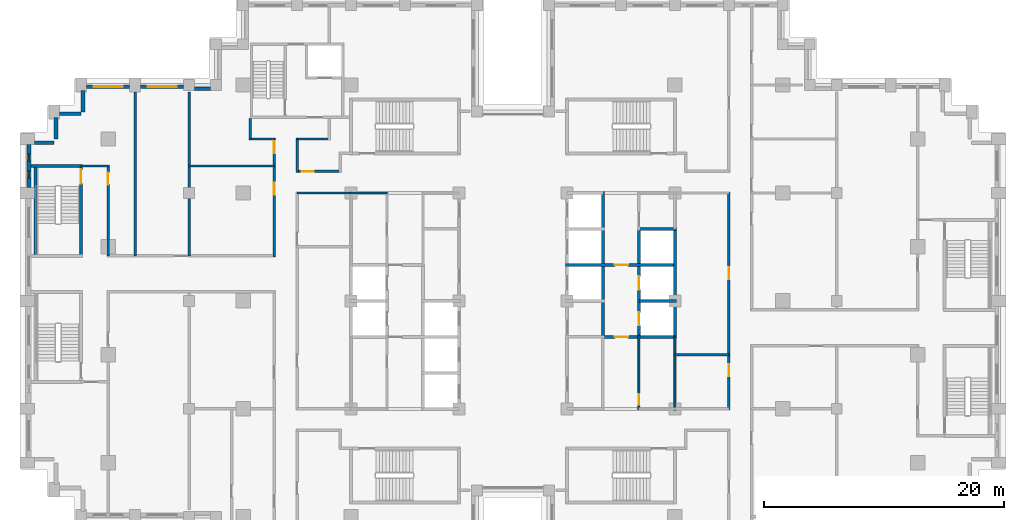
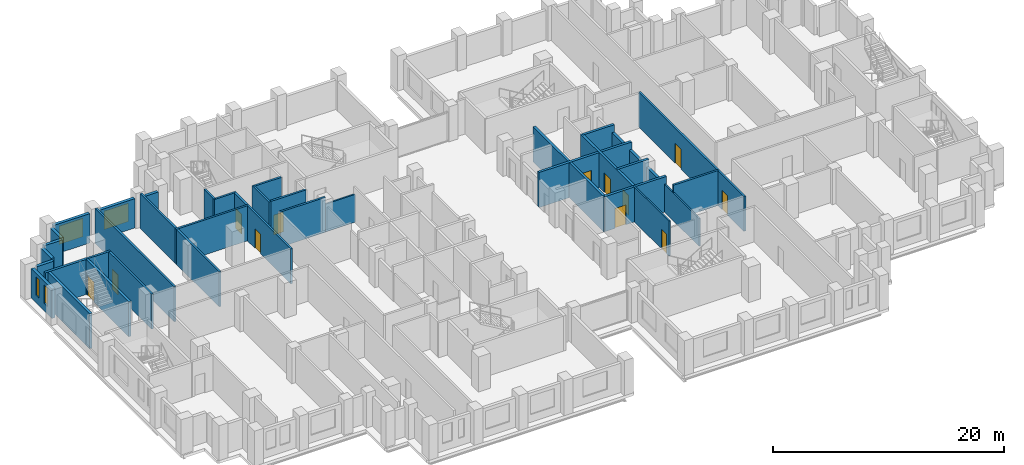
# One storey, part 9 of 15: 35 walls, 12 doors, 4 windows, 16 openings.
"""IFC4 building model written with IfcOpenShell, lengths in metres."""

from ifc_helpers import new_model, si_unit, direction, frame, frame_2d, origin, place, context, subcontext, project, spatial, rectangle, extrude, material, layer, layer_set, type_object, element, fill, save


model = new_model("IFC4")

# Units and contexts
model_context = context("Model", 3, precision=1e-05, world=origin(), true_north=direction((0.0, 1.0)))
body_context = subcontext(model_context, "Body", "Model", "MODEL_VIEW")
ifc_project = project(units=[si_unit("LENGTHUNIT", "METRE"), si_unit("AREAUNIT", "SQUARE_METRE"), si_unit("VOLUMEUNIT", "CUBIC_METRE"), si_unit("PLANEANGLEUNIT", "RADIAN"), si_unit("MASSUNIT", "GRAM", prefix="KILO")], contexts=[model_context])

# Site, building, storey
site_placement = place(None, origin())
site = spatial("IfcSite", under=ifc_project, at=site_placement, CompositionType="ELEMENT")
building_placement = place(site_placement, origin())
building = spatial("IfcBuilding", under=site, at=building_placement, Name="Corbelhall Arena Tower", CompositionType="ELEMENT")
storey_placement = place(building_placement, frame((0.0, 0.0, 96.0)))
storey = spatial("IfcBuildingStorey", under=building, at=storey_placement, Name="L16", CompositionType="ELEMENT", Elevation=96.0)

# Walls
ifc_material_1 = material(Name="Precast concrete C40/50 with granite facing", Category="masonry")
ifc_layer_1 = layer(ifc_material_1, 0.300048828125)
ifc_layer_set_1 = layer_set([ifc_layer_1], Name="EV-IW1 Infill panel 300")
wall_type_1 = type_object("IfcWallType", Name="EV-IW1 Infill panel 300", PredefinedType="SOLIDWALL", material=ifc_layer_set_1)
for number, where, z_axis, x_axis, name in (
    (1, (-35.85009765625, 17.550048828125, 0.0), (0.0, 0.0, 1.0), (0.0, -1.0, 0.0), "Infill panel IW1"),
    (2, (-37.800048828125, 15.60009765625, 0.0), (0.0, 0.0, 1.0), (1.0, 0.0, 0.0), "Infill panel IW1"),
    (3, (-38.10009765625, 15.300048828125, 0.0), (0.0, 0.0, 1.0), (0.0, -1.0, 0.0), "Infill panel IW1"),
):
    element("IfcWall", number, at=place(storey_placement, frame(where, z_axis=z_axis, x_axis=x_axis)), inside=storey, type_object=wall_type_1, Name=name, PredefinedType="SOLIDWALL", context=body_context, shape_type="SweptSolid", body=[
        extrude(rectangle(XDim=1.800048828125, YDim=0.300048828125, at=frame_2d((0.89990234375, 0.0))), origin(), (0.0, 0.0, 1.0), 3.10009765625),
    ])
wall_1_placement = place(storey_placement, frame((-39.89990234375, 13.199951171875, 0.0), z_axis=(0.0, 0.0, 1.0), x_axis=(1.0, 0.0, 0.0)))
element("IfcWall", 4, at=wall_1_placement, inside=storey, type_object=wall_type_1, Name="Infill panel IW1", PredefinedType="SOLIDWALL", context=body_context, shape_type="SweptSolid", body=[
    extrude(rectangle(XDim=1.64990234375, YDim=0.300048828125, at=frame_2d((0.824951171875, 0.0))), origin(), (0.0, 0.0, 1.0), 3.10009765625),
])
wall_2_placement = place(storey_placement, frame((-25.199951171875, 17.699951171875, 0.0), z_axis=(0.0, 0.0, 1.0), x_axis=(-1.0, 0.0, 0.0)))
element("IfcWall", 5, at=wall_2_placement, inside=storey, type_object=wall_type_1, Name="Infill panel IW1", PredefinedType="SOLIDWALL", context=body_context, shape_type="SweptSolid", body=[
    extrude(rectangle(XDim=1.35009765625, YDim=0.300048828125, at=frame_2d((0.675048828125, 0.0))), origin(), (0.0, 0.0, 1.0), 3.10009765625),
])

# Wall, opening, window
wall_3_placement = place(storey_placement, frame((-27.449951171875, 17.85009765625, 0.0), z_axis=(0.0, 0.0, 1.0), x_axis=(-1.0, 0.0, 0.0)))
wall_3 = element("IfcWall", 6, at=wall_3_placement, inside=storey, type_object=wall_type_1, Name="Infill panel IW1", PredefinedType="SOLIDWALL", context=body_context, shape_type="SweptSolid", body=[
    extrude(rectangle(XDim=3.60009765625, YDim=0.300048828125, at=frame_2d((1.800048828125, 0.0))), origin(), (0.0, 0.0, 1.0), 3.10009765625),
])
opening_1_placement = place(wall_3_placement, frame((0.60009765625, 0.0, 0.800048828125)))
opening_1 = element("IfcOpeningElement", 7, at=opening_1_placement, cuts=wall_3, Name="Opening WN1", PredefinedType="OPENING", context=body_context, shape_type="SweptSolid", body=[
    extrude(rectangle(XDim=2.39990234375, YDim=1.949951171875, at=frame_2d((1.199951171875, 0.97509765625))), frame((0.0, 0.14990234375, 0.0), z_axis=(0.0, -1.0, 0.0), x_axis=(1.0, 0.0, 0.0)), (0.0, 0.0, 1.0), 0.300048828125),
])
ifc_material_2 = material(Name="Aluminium black anodised", Category="aluminium")
window_type_1 = type_object("IfcWindowType", Name="EV-WN1 Office window", PartitioningType="SINGLE_PANEL", PredefinedType="WINDOW", material=ifc_material_2)
window_1_placement = place(opening_1_placement, origin())
window_1 = element("IfcWindow", 8, at=window_1_placement, inside=storey, type_object=window_type_1, Name="Window WN1", OverallHeight=1.949951171875, OverallWidth=2.39990234375, PartitioningType="SINGLE_PANEL", PredefinedType="WINDOW", context=body_context, shape_type="SweptSolid", body=[
    extrude(rectangle(XDim=2.39990234375, YDim=1.949951171875, at=frame_2d((1.199951171875, 0.97509765625))), frame((0.0, 0.030029296875, 0.0), z_axis=(0.0, -1.0, 0.0), x_axis=(1.0, 0.0, 0.0)), (0.0, 0.0, 1.0), 0.06005859375),
])
fill(opening_1, window_1)

wall_4_placement = place(storey_placement, frame((-31.949951171875, 17.85009765625, 0.0), z_axis=(0.0, 0.0, 1.0), x_axis=(-1.0, 0.0, 0.0)))
wall_4 = element("IfcWall", 9, at=wall_4_placement, inside=storey, type_object=wall_type_1, Name="Infill panel IW1", PredefinedType="SOLIDWALL", context=body_context, shape_type="SweptSolid", body=[
    extrude(rectangle(XDim=3.60009765625, YDim=0.300048828125, at=frame_2d((1.800048828125, 0.0))), origin(), (0.0, 0.0, 1.0), 3.10009765625),
])
opening_2_placement = place(wall_4_placement, frame((0.60009765625, 0.0, 0.800048828125)))
opening_2 = element("IfcOpeningElement", 10, at=opening_2_placement, cuts=wall_4, Name="Opening WN1", PredefinedType="OPENING", context=body_context, shape_type="SweptSolid", body=[
    extrude(rectangle(XDim=2.39990234375, YDim=1.949951171875, at=frame_2d((1.199951171875, 0.97509765625))), frame((0.0, 0.14990234375, 0.0), z_axis=(0.0, -1.0, 0.0), x_axis=(1.0, 0.0, 0.0)), (0.0, 0.0, 1.0), 0.300048828125),
])
window_2_placement = place(opening_2_placement, origin())
window_2 = element("IfcWindow", 11, at=window_2_placement, inside=storey, type_object=window_type_1, Name="Window WN1", OverallHeight=1.949951171875, OverallWidth=2.39990234375, PartitioningType="SINGLE_PANEL", PredefinedType="WINDOW", context=body_context, shape_type="SweptSolid", body=[
    extrude(rectangle(XDim=2.39990234375, YDim=1.949951171875, at=frame_2d((1.199951171875, 0.97509765625))), frame((0.0, 0.030029296875, 0.0), z_axis=(0.0, -1.0, 0.0), x_axis=(1.0, 0.0, 0.0)), (0.0, 0.0, 1.0), 0.06005859375),
])
fill(opening_2, window_2)

# Wall, openings, windows
wall_5_placement = place(storey_placement, frame((-40.35009765625, 13.050048828125, 0.0), z_axis=(0.0, 0.0, 1.0), x_axis=(0.0, -1.0, 0.0)))
wall_5 = element("IfcWall", 12, at=wall_5_placement, inside=storey, type_object=wall_type_1, Name="Infill panel IW1", PredefinedType="SOLIDWALL", context=body_context, shape_type="SweptSolid", body=[
    extrude(rectangle(XDim=3.60009765625, YDim=0.300048828125, at=frame_2d((1.800048828125, 0.0))), origin(), (0.0, 0.0, 1.0), 3.10009765625),
])
opening_3_placement = place(wall_5_placement, frame((0.78759765625, 0.0, 0.800048828125)))
opening_3 = element("IfcOpeningElement", 13, at=opening_3_placement, cuts=wall_5, Name="Opening WN5", PredefinedType="OPENING", context=body_context, shape_type="SweptSolid", body=[
    extrude(rectangle(XDim=0.60009765625, YDim=1.949951171875, at=frame_2d((0.300048828125, 0.97509765625))), frame((0.0, 0.14990234375, 0.0), z_axis=(0.0, -1.0, 0.0), x_axis=(1.0, 0.0, 0.0)), (0.0, 0.0, 1.0), 0.300048828125),
])
opening_4_placement = place(wall_5_placement, frame((2.21240234375, 0.0, 0.800048828125)))
opening_4 = element("IfcOpeningElement", 14, at=opening_4_placement, cuts=wall_5, Name="Opening WN5", PredefinedType="OPENING", context=body_context, shape_type="SweptSolid", body=[
    extrude(rectangle(XDim=0.60009765625, YDim=1.949951171875, at=frame_2d((0.300048828125, 0.97509765625))), frame((0.0, 0.14990234375, 0.0), z_axis=(0.0, -1.0, 0.0), x_axis=(1.0, 0.0, 0.0)), (0.0, 0.0, 1.0), 0.300048828125),
])
window_type_2 = type_object("IfcWindowType", Name="EV-WN5 Office window 600", PartitioningType="SINGLE_PANEL", PredefinedType="WINDOW", material=ifc_material_2)
window_3_placement = place(opening_3_placement, origin())
window_3 = element("IfcWindow", 15, at=window_3_placement, inside=storey, type_object=window_type_2, Name="Window WN5", OverallHeight=1.949951171875, OverallWidth=0.60009765625, PartitioningType="SINGLE_PANEL", PredefinedType="WINDOW", context=body_context, shape_type="SweptSolid", body=[
    extrude(rectangle(XDim=0.60009765625, YDim=1.949951171875, at=frame_2d((0.300048828125, 0.97509765625))), frame((0.0, 0.030029296875, 0.0), z_axis=(0.0, -1.0, 0.0), x_axis=(1.0, 0.0, 0.0)), (0.0, 0.0, 1.0), 0.06005859375),
])
fill(opening_3, window_3)
window_4_placement = place(opening_4_placement, origin())
window_4 = element("IfcWindow", 16, at=window_4_placement, inside=storey, type_object=window_type_2, Name="Window WN5", OverallHeight=1.949951171875, OverallWidth=0.60009765625, PartitioningType="SINGLE_PANEL", PredefinedType="WINDOW", context=body_context, shape_type="SweptSolid", body=[
    extrude(rectangle(XDim=0.60009765625, YDim=1.949951171875, at=frame_2d((0.300048828125, 0.97509765625))), frame((0.0, 0.030029296875, 0.0), z_axis=(0.0, -1.0, 0.0), x_axis=(1.0, 0.0, 0.0)), (0.0, 0.0, 1.0), 0.06005859375),
])
fill(opening_4, window_4)

# Wall
ifc_material_3 = material(Name="Gypsum board on steel stud, acoustic", Category="steel")
ifc_layer_2 = layer(ifc_material_3, 0.199951171875)
ifc_layer_set_2 = layer_set([ifc_layer_2], Name="IN-W-DM200")
wall_type_2 = type_object("IfcWallType", Name="IN-W-DM200", PredefinedType="PARTITIONING", material=ifc_layer_set_2)
wall_6_placement = place(storey_placement, frame((-36.0, 11.25, 0.0), z_axis=(0.0, 0.0, 1.0), x_axis=(1.0, 0.0, 0.0)))
element("IfcWall", 17, at=wall_6_placement, inside=storey, type_object=wall_type_2, Name="Partition 001", PredefinedType="PARTITIONING", context=body_context, shape_type="SweptSolid", body=[
    extrude(rectangle(XDim=2.35009765625, YDim=0.199951171875, at=frame_2d((1.175048828125, 0.0))), origin(), (0.0, 0.0, 1.0), 3.699951171875),
])

# Wall, opening, door
wall_7_placement = place(storey_placement, frame((-33.75, 11.25, 0.0), z_axis=(0.0, 0.0, 1.0), x_axis=(0.0, -1.0, 0.0)))
wall_7 = element("IfcWall", 18, at=wall_7_placement, inside=storey, type_object=wall_type_2, Name="Partition 004", PredefinedType="PARTITIONING", context=body_context, shape_type="SweptSolid", body=[
    extrude(rectangle(XDim=7.5, YDim=0.199951171875, at=frame_2d((3.75, 0.0))), origin(), (0.0, 0.0, 1.0), 3.699951171875),
])
opening_5_placement = place(wall_7_placement, frame((0.550048828125, 0.0, 0.0)))
opening_5 = element("IfcOpeningElement", 19, at=opening_5_placement, cuts=wall_7, Name="Opening 03041", PredefinedType="OPENING", context=body_context, shape_type="SweptSolid", body=[
    extrude(rectangle(XDim=1.0, YDim=2.10009765625, at=frame_2d((0.5, 1.050048828125))), frame((0.0, 0.10009765625, 0.0), z_axis=(0.0, -1.0, 0.0), x_axis=(1.0, 0.0, 0.0)), (0.0, 0.0, 1.0), 0.199951171875),
])
ifc_material_4 = material(Name="Steel door set", Category="steel")
door_type_1 = type_object("IfcDoorType", Name="IN-D-SW100", OperationType="NOTDEFINED", PredefinedType="DOOR", material=ifc_material_4)
door_1_placement = place(opening_5_placement, origin())
door_1 = element("IfcDoor", 20, at=door_1_placement, inside=storey, type_object=door_type_1, Name="Door 041", OperationType="SINGLE_SWING_RIGHT", OverallHeight=2.10009765625, OverallWidth=1.0, PredefinedType="DOOR", context=body_context, shape_type="SweptSolid", body=[
    extrude(rectangle(XDim=1.0, YDim=2.10009765625, at=frame_2d((0.5, 1.050048828125))), frame((0.0, 0.02490234375, 0.0), z_axis=(0.0, -1.0, 0.0), x_axis=(1.0, 0.0, 0.0)), (0.0, 0.0, 1.0), 0.050048828125),
])
fill(opening_5, door_1)

# Walls
wall_8_placement = place(storey_placement, frame((-31.5, 17.39990234375, 0.0), z_axis=(0.0, 0.0, 1.0), x_axis=(0.0, -1.0, 0.0)))
element("IfcWall", 21, at=wall_8_placement, inside=storey, type_object=wall_type_2, Name="Partition 006", PredefinedType="PARTITIONING", context=body_context, shape_type="SweptSolid", body=[
    extrude(rectangle(XDim=13.64990234375, YDim=0.199951171875, at=frame_2d((6.824951171875, 0.0))), origin(), (0.0, 0.0, 1.0), 3.699951171875),
])
wall_9_placement = place(storey_placement, frame((-27.10009765625, 11.25, 0.0), z_axis=(0.0, 0.0, 1.0), x_axis=(1.0, 0.0, 0.0)))
element("IfcWall", 22, at=wall_9_placement, inside=storey, type_object=wall_type_2, Name="Partition 008", PredefinedType="PARTITIONING", context=body_context, shape_type="SweptSolid", body=[
    extrude(rectangle(XDim=7.2001953125, YDim=0.199951171875, at=frame_2d((3.60009765625, 0.0))), origin(), (0.0, 0.0, 1.0), 3.699951171875),
])
wall_10_placement = place(storey_placement, frame((-27.0, 3.75, 0.0), z_axis=(0.0, 0.0, 1.0), x_axis=(0.0, 1.0, 0.0)))
element("IfcWall", 23, at=wall_10_placement, inside=storey, type_object=wall_type_2, Name="Partition 010", PredefinedType="PARTITIONING", context=body_context, shape_type="SweptSolid", body=[
    extrude(rectangle(XDim=13.64990234375, YDim=0.199951171875, at=frame_2d((6.824951171875, 0.0))), origin(), (0.0, 0.0, 1.0), 3.699951171875),
])
wall_11_placement = place(storey_placement, frame((-21.89990234375, 13.5, 0.0), z_axis=(0.0, 0.0, 1.0), x_axis=(0.0, 1.0, 0.0)))
element("IfcWall", 24, at=wall_11_placement, inside=storey, type_object=wall_type_2, Name="Partition 013", PredefinedType="PARTITIONING", context=body_context, shape_type="SweptSolid", body=[
    extrude(rectangle(XDim=1.699951171875, YDim=0.199951171875, at=frame_2d((0.85009765625, 0.0))), origin(), (0.0, 0.0, 1.0), 3.699951171875),
])

# Wall, openings, doors
wall_12_placement = place(storey_placement, frame((-19.89990234375, 3.64990234375, 0.0), z_axis=(0.0, 0.0, 1.0), x_axis=(0.0, 1.0, 0.0)))
wall_12 = element("IfcWall", 25, at=wall_12_placement, inside=storey, type_object=wall_type_2, Name="Partition 015", PredefinedType="PARTITIONING", context=body_context, shape_type="SweptSolid", body=[
    extrude(rectangle(XDim=9.9501953125, YDim=0.199951171875, at=frame_2d((4.97509765625, 0.0))), origin(), (0.0, 0.0, 1.0), 3.699951171875),
])
opening_6_placement = place(wall_12_placement, frame((5.199951171875, 0.0, 0.0)))
opening_6 = element("IfcOpeningElement", 26, at=opening_6_placement, cuts=wall_12, Name="Opening 03029", PredefinedType="OPENING", context=body_context, shape_type="SweptSolid", body=[
    extrude(rectangle(XDim=1.0, YDim=2.10009765625, at=frame_2d((0.5, 1.050048828125))), frame((0.0, 0.10009765625, 0.0), z_axis=(0.0, -1.0, 0.0), x_axis=(1.0, 0.0, 0.0)), (0.0, 0.0, 1.0), 0.199951171875),
])
opening_7_placement = place(wall_12_placement, frame((8.64990234375, 0.0, 0.0)))
opening_7 = element("IfcOpeningElement", 27, at=opening_7_placement, cuts=wall_12, Name="Opening 03030", PredefinedType="OPENING", context=body_context, shape_type="SweptSolid", body=[
    extrude(rectangle(XDim=1.0, YDim=2.10009765625, at=frame_2d((0.5, 1.050048828125))), frame((0.0, 0.10009765625, 0.0), z_axis=(0.0, -1.0, 0.0), x_axis=(1.0, 0.0, 0.0)), (0.0, 0.0, 1.0), 0.199951171875),
])
door_2_placement = place(opening_6_placement, origin())
door_2 = element("IfcDoor", 28, at=door_2_placement, inside=storey, type_object=door_type_1, Name="Door 029", OperationType="SINGLE_SWING_RIGHT", OverallHeight=2.10009765625, OverallWidth=1.0, PredefinedType="DOOR", context=body_context, shape_type="SweptSolid", body=[
    extrude(rectangle(XDim=1.0, YDim=2.10009765625, at=frame_2d((0.5, 1.050048828125))), frame((0.0, 0.02490234375, 0.0), z_axis=(0.0, -1.0, 0.0), x_axis=(1.0, 0.0, 0.0)), (0.0, 0.0, 1.0), 0.050048828125),
])
fill(opening_6, door_2)
door_3_placement = place(opening_7_placement, origin())
door_3 = element("IfcDoor", 29, at=door_3_placement, inside=storey, type_object=door_type_1, Name="Door 030", OperationType="SINGLE_SWING_LEFT", OverallHeight=2.10009765625, OverallWidth=1.0, PredefinedType="DOOR", context=body_context, shape_type="SweptSolid", body=[
    extrude(rectangle(XDim=1.0, YDim=2.10009765625, at=frame_2d((0.5, 1.050048828125))), frame((0.0, 0.02490234375, 0.0), z_axis=(0.0, -1.0, 0.0), x_axis=(1.0, 0.0, 0.0)), (0.0, 0.0, 1.0), 0.050048828125),
])
fill(opening_7, door_3)

# Wall
wall_13_placement = place(storey_placement, frame((-19.89990234375, 13.5, 0.0), z_axis=(0.0, 0.0, 1.0), x_axis=(-1.0, 0.0, 0.0)))
element("IfcWall", 30, at=wall_13_placement, inside=storey, type_object=wall_type_2, Name="Partition 016", PredefinedType="PARTITIONING", context=body_context, shape_type="SweptSolid", body=[
    extrude(rectangle(XDim=2.10009765625, YDim=0.199951171875, at=frame_2d((1.050048828125, 0.0))), origin(), (0.0, 0.0, 1.0), 3.699951171875),
])

# Wall, opening, door
wall_14_placement = place(storey_placement, frame((-18.0, 10.800048828125, 0.0), z_axis=(0.0, 0.0, 1.0), x_axis=(1.0, 0.0, 0.0)))
wall_14 = element("IfcWall", 31, at=wall_14_placement, inside=storey, type_object=wall_type_2, Name="Partition 021", PredefinedType="PARTITIONING", context=body_context, shape_type="SweptSolid", body=[
    extrude(rectangle(XDim=3.60009765625, YDim=0.199951171875, at=frame_2d((1.800048828125, 0.0))), origin(), (0.0, 0.0, 1.0), 3.699951171875),
])
opening_8_placement = place(wall_14_placement, frame((0.39990234375, 0.0, 0.0)))
opening_8 = element("IfcOpeningElement", 32, at=opening_8_placement, cuts=wall_14, Name="Opening 03025", PredefinedType="OPENING", context=body_context, shape_type="SweptSolid", body=[
    extrude(rectangle(XDim=1.0, YDim=2.10009765625, at=frame_2d((0.5, 1.050048828125))), frame((0.0, 0.10009765625, 0.0), z_axis=(0.0, -1.0, 0.0), x_axis=(1.0, 0.0, 0.0)), (0.0, 0.0, 1.0), 0.199951171875),
])
door_4_placement = place(opening_8_placement, origin())
door_4 = element("IfcDoor", 33, at=door_4_placement, inside=storey, type_object=door_type_1, Name="Door 025", OperationType="SINGLE_SWING_RIGHT", OverallHeight=2.10009765625, OverallWidth=1.0, PredefinedType="DOOR", context=body_context, shape_type="SweptSolid", body=[
    extrude(rectangle(XDim=1.0, YDim=2.10009765625, at=frame_2d((0.5, 1.050048828125))), frame((0.0, 0.02490234375, 0.0), z_axis=(0.0, -1.0, 0.0), x_axis=(1.0, 0.0, 0.0)), (0.0, 0.0, 1.0), 0.050048828125),
])
fill(opening_8, door_4)

# Walls
wall_15_placement = place(storey_placement, frame((-18.0, 13.60009765625, 0.0), z_axis=(0.0, 0.0, 1.0), x_axis=(0.0, -1.0, 0.0)))
element("IfcWall", 34, at=wall_15_placement, inside=storey, type_object=wall_type_2, Name="Partition 022", PredefinedType="PARTITIONING", context=body_context, shape_type="SweptSolid", body=[
    extrude(rectangle(XDim=2.900146484375, YDim=0.199951171875, at=frame_2d((1.4501953125, 0.0))), origin(), (0.0, 0.0, 1.0), 3.699951171875),
])
wall_16_placement = place(storey_placement, frame((-15.300048828125, 13.5, 0.0), z_axis=(0.0, 0.0, 1.0), x_axis=(-1.0, 0.0, 0.0)))
element("IfcWall", 35, at=wall_16_placement, inside=storey, type_object=wall_type_2, Name="Partition 023", PredefinedType="PARTITIONING", context=body_context, shape_type="SweptSolid", body=[
    extrude(rectangle(XDim=2.699951171875, YDim=0.199951171875, at=frame_2d((1.35009765625, 0.0))), origin(), (0.0, 0.0, 1.0), 3.699951171875),
])
for number, where, z_axis, x_axis, name in (
    (36, (-13.5, 9.0, 0.0), (0.0, 0.0, 1.0), (-1.0, 0.0, 0.0), "Partition 029"),
    (37, (13.5, -4.5, 0.0), (0.0, 0.0, 1.0), (1.0, 0.0, 0.0), "Partition 038"),
):
    element("IfcWall", number, at=place(storey_placement, frame(where, z_axis=z_axis, x_axis=x_axis)), inside=storey, type_object=wall_type_2, Name=name, PredefinedType="PARTITIONING", context=body_context, shape_type="SweptSolid", body=[
        extrude(rectangle(XDim=4.5, YDim=0.199951171875, at=frame_2d((2.25, 0.0))), origin(), (0.0, 0.0, 1.0), 3.699951171875),
    ])

# Wall, openings, doors
wall_17_placement = place(storey_placement, frame((18.0, -9.10009765625, 0.0), z_axis=(0.0, 0.0, 1.0), x_axis=(0.0, 1.0, 0.0)))
wall_17 = element("IfcWall", 38, at=wall_17_placement, inside=storey, type_object=wall_type_2, Name="Partition 046", PredefinedType="PARTITIONING", context=body_context, shape_type="SweptSolid", body=[
    extrude(rectangle(XDim=18.2001953125, YDim=0.199951171875, at=frame_2d((9.10009765625, 0.0))), origin(), (0.0, 0.0, 1.0), 3.699951171875),
])
opening_9_placement = place(wall_17_placement, frame((2.800048828125, 0.0, 0.0)))
opening_9 = element("IfcOpeningElement", 39, at=opening_9_placement, cuts=wall_17, Name="Opening 03023", PredefinedType="OPENING", context=body_context, shape_type="SweptSolid", body=[
    extrude(rectangle(XDim=1.0, YDim=2.10009765625, at=frame_2d((0.5, 1.050048828125))), frame((0.0, 0.10009765625, 0.0), z_axis=(0.0, -1.0, 0.0), x_axis=(1.0, 0.0, 0.0)), (0.0, 0.0, 1.0), 0.199951171875),
])
opening_10_placement = place(wall_17_placement, frame((10.89990234375, 0.0, 0.0)))
opening_10 = element("IfcOpeningElement", 40, at=opening_10_placement, cuts=wall_17, Name="Opening 03024", PredefinedType="OPENING", context=body_context, shape_type="SweptSolid", body=[
    extrude(rectangle(XDim=1.0, YDim=2.10009765625, at=frame_2d((0.5, 1.050048828125))), frame((0.0, 0.10009765625, 0.0), z_axis=(0.0, -1.0, 0.0), x_axis=(1.0, 0.0, 0.0)), (0.0, 0.0, 1.0), 0.199951171875),
])
door_5_placement = place(opening_9_placement, origin())
door_5 = element("IfcDoor", 41, at=door_5_placement, inside=storey, type_object=door_type_1, Name="Door 023", OperationType="SINGLE_SWING_RIGHT", OverallHeight=2.10009765625, OverallWidth=1.0, PredefinedType="DOOR", context=body_context, shape_type="SweptSolid", body=[
    extrude(rectangle(XDim=1.0, YDim=2.10009765625, at=frame_2d((0.5, 1.050048828125))), frame((0.0, 0.02490234375, 0.0), z_axis=(0.0, -1.0, 0.0), x_axis=(1.0, 0.0, 0.0)), (0.0, 0.0, 1.0), 0.050048828125),
])
fill(opening_9, door_5)
door_6_placement = place(opening_10_placement, origin())
door_6 = element("IfcDoor", 42, at=door_6_placement, inside=storey, type_object=door_type_1, Name="Door 024", OperationType="SINGLE_SWING_LEFT", OverallHeight=2.10009765625, OverallWidth=1.0, PredefinedType="DOOR", context=body_context, shape_type="SweptSolid", body=[
    extrude(rectangle(XDim=1.0, YDim=2.10009765625, at=frame_2d((0.5, 1.050048828125))), frame((0.0, 0.02490234375, 0.0), z_axis=(0.0, -1.0, 0.0), x_axis=(1.0, 0.0, 0.0)), (0.0, 0.0, 1.0), 0.050048828125),
])
fill(opening_10, door_6)

# Wall, opening, door
ifc_material_5 = material(Name="Concrete C40/50", Category="concrete")
ifc_layer_3 = layer(ifc_material_5, 0.25)
ifc_layer_set_3 = layer_set([ifc_layer_3], Name="IN-W-SH250")
wall_type_3 = type_object("IfcWallType", Name="IN-W-SH250", PredefinedType="SOLIDWALL", material=ifc_layer_set_3)
wall_18_placement = place(storey_placement, frame((4.375, 3.0, 0.0), z_axis=(0.0, 0.0, 1.0), x_axis=(1.0, 0.0, 0.0)))
wall_18 = element("IfcWall", 43, at=wall_18_placement, inside=storey, type_object=wall_type_3, Name="Shaft wall 085", PredefinedType="SOLIDWALL", context=body_context, shape_type="SweptSolid", body=[
    extrude(rectangle(XDim=9.25, YDim=0.25, at=frame_2d((4.625, 0.0))), origin(), (0.0, 0.0, 1.0), 3.699951171875),
])
opening_11_placement = place(wall_18_placement, frame((4.125, 0.0, 0.0)))
opening_11 = element("IfcOpeningElement", 44, at=opening_11_placement, cuts=wall_18, Name="Opening 03010", PredefinedType="OPENING", context=body_context, shape_type="SweptSolid", body=[
    extrude(rectangle(XDim=1.10009765625, YDim=2.10009765625, at=frame_2d((0.550048828125, 1.050048828125))), frame((0.0, 0.125, 0.0), z_axis=(0.0, -1.0, 0.0), x_axis=(1.0, 0.0, 0.0)), (0.0, 0.0, 1.0), 0.25),
])
door_type_2 = type_object("IfcDoorType", Name="IN-D-FD110", OperationType="NOTDEFINED", PredefinedType="DOOR", material=ifc_material_4)
door_7_placement = place(opening_11_placement, origin())
door_7 = element("IfcDoor", 45, at=door_7_placement, inside=storey, type_object=door_type_2, Name="Door 010", OperationType="SINGLE_SWING_LEFT", OverallHeight=2.10009765625, OverallWidth=1.10009765625, PredefinedType="DOOR", context=body_context, shape_type="SweptSolid", body=[
    extrude(rectangle(XDim=1.10009765625, YDim=2.10009765625, at=frame_2d((0.550048828125, 1.050048828125))), frame((0.0, 0.02490234375, 0.0), z_axis=(0.0, -1.0, 0.0), x_axis=(1.0, 0.0, 0.0)), (0.0, 0.0, 1.0), 0.050048828125),
])
fill(opening_11, door_7)

wall_19_placement = place(storey_placement, frame((7.5, -3.0, 0.0), z_axis=(0.0, 0.0, 1.0), x_axis=(1.0, 0.0, 0.0)))
wall_19 = element("IfcWall", 46, at=wall_19_placement, inside=storey, type_object=wall_type_3, Name="Shaft wall 089", PredefinedType="SOLIDWALL", context=body_context, shape_type="SweptSolid", body=[
    extrude(rectangle(XDim=6.125, YDim=0.25, at=frame_2d((3.0625, 0.0))), origin(), (0.0, 0.0, 1.0), 3.699951171875),
])
opening_12_placement = place(wall_19_placement, frame((1.0, 0.0, 0.0)))
opening_12 = element("IfcOpeningElement", 47, at=opening_12_placement, cuts=wall_19, Name="Opening 03009", PredefinedType="OPENING", context=body_context, shape_type="SweptSolid", body=[
    extrude(rectangle(XDim=1.10009765625, YDim=2.10009765625, at=frame_2d((0.550048828125, 1.050048828125))), frame((0.0, 0.125, 0.0), z_axis=(0.0, -1.0, 0.0), x_axis=(1.0, 0.0, 0.0)), (0.0, 0.0, 1.0), 0.25),
])
door_8_placement = place(opening_12_placement, origin())
door_8 = element("IfcDoor", 48, at=door_8_placement, inside=storey, type_object=door_type_2, Name="Door 009", OperationType="SINGLE_SWING_RIGHT", OverallHeight=2.10009765625, OverallWidth=1.10009765625, PredefinedType="DOOR", context=body_context, shape_type="SweptSolid", body=[
    extrude(rectangle(XDim=1.10009765625, YDim=2.10009765625, at=frame_2d((0.550048828125, 1.050048828125))), frame((0.0, 0.02490234375, 0.0), z_axis=(0.0, -1.0, 0.0), x_axis=(1.0, 0.0, 0.0)), (0.0, 0.0, 1.0), 0.050048828125),
])
fill(opening_12, door_8)

# Walls
wall_20_placement = place(storey_placement, frame((7.5, 9.125, 0.0), z_axis=(0.0, 0.0, 1.0), x_axis=(0.0, -1.0, 0.0)))
element("IfcWall", 49, at=wall_20_placement, inside=storey, type_object=wall_type_3, Name="Shaft wall 090", PredefinedType="SOLIDWALL", context=body_context, shape_type="SweptSolid", body=[
    extrude(rectangle(XDim=12.25, YDim=0.25, at=frame_2d((6.125, 0.0))), origin(), (0.0, 0.0, 1.0), 3.699951171875),
])
wall_21_placement = place(storey_placement, frame((10.5, 0.0, 0.0), z_axis=(0.0, 0.0, 1.0), x_axis=(1.0, 0.0, 0.0)))
element("IfcWall", 50, at=wall_21_placement, inside=storey, type_object=wall_type_3, Name="Shaft wall 091", PredefinedType="SOLIDWALL", context=body_context, shape_type="SweptSolid", body=[
    extrude(rectangle(XDim=3.125, YDim=0.25, at=frame_2d((1.5625, 0.0))), origin(), (0.0, 0.0, 1.0), 3.699951171875),
])

# Wall, openings, doors
wall_22_placement = place(storey_placement, frame((10.5, 6.125, 0.0), z_axis=(0.0, 0.0, 1.0), x_axis=(0.0, -1.0, 0.0)))
wall_22 = element("IfcWall", 51, at=wall_22_placement, inside=storey, type_object=wall_type_3, Name="Shaft wall 092", PredefinedType="SOLIDWALL", context=body_context, shape_type="SweptSolid", body=[
    extrude(rectangle(XDim=9.25, YDim=0.25, at=frame_2d((4.625, 0.0))), origin(), (0.0, 0.0, 1.0), 3.699951171875),
])
opening_13_placement = place(wall_22_placement, frame((7.074951171875, 0.0, 0.0)))
opening_13 = element("IfcOpeningElement", 52, at=opening_13_placement, cuts=wall_22, Name="Opening LD", PredefinedType="OPENING", context=body_context, shape_type="SweptSolid", body=[
    extrude(rectangle(XDim=1.10009765625, YDim=2.10009765625, at=frame_2d((0.550048828125, 1.050048828125))), frame((0.0, 0.125, 0.0), z_axis=(0.0, -1.0, 0.0), x_axis=(1.0, 0.0, 0.0)), (0.0, 0.0, 1.0), 0.25),
])
opening_14_placement = place(wall_22_placement, frame((4.074951171875, 0.0, 0.0)))
opening_14 = element("IfcOpeningElement", 53, at=opening_14_placement, cuts=wall_22, Name="Opening LD", PredefinedType="OPENING", context=body_context, shape_type="SweptSolid", body=[
    extrude(rectangle(XDim=1.10009765625, YDim=2.10009765625, at=frame_2d((0.550048828125, 1.050048828125))), frame((0.0, 0.125, 0.0), z_axis=(0.0, -1.0, 0.0), x_axis=(1.0, 0.0, 0.0)), (0.0, 0.0, 1.0), 0.25),
])
door_type_3 = type_object("IfcDoorType", Name="IN-D-LD110", OperationType="NOTDEFINED", PredefinedType="DOOR", material=ifc_material_4)
door_9_placement = place(opening_13_placement, origin())
door_9 = element("IfcDoor", 54, at=door_9_placement, inside=storey, type_object=door_type_3, Name="Landing door E3", OperationType="SLIDING_TO_LEFT", OverallHeight=2.10009765625, OverallWidth=1.10009765625, PredefinedType="DOOR", context=body_context, shape_type="SweptSolid", body=[
    extrude(rectangle(XDim=1.10009765625, YDim=2.10009765625, at=frame_2d((0.550048828125, 1.050048828125))), frame((0.0, 0.02490234375, 0.0), z_axis=(0.0, -1.0, 0.0), x_axis=(1.0, 0.0, 0.0)), (0.0, 0.0, 1.0), 0.050048828125),
])
fill(opening_13, door_9)
door_10_placement = place(opening_14_placement, origin())
door_10 = element("IfcDoor", 55, at=door_10_placement, inside=storey, type_object=door_type_3, Name="Landing door E4", OperationType="SLIDING_TO_LEFT", OverallHeight=2.10009765625, OverallWidth=1.10009765625, PredefinedType="DOOR", context=body_context, shape_type="SweptSolid", body=[
    extrude(rectangle(XDim=1.10009765625, YDim=2.10009765625, at=frame_2d((0.550048828125, 1.050048828125))), frame((0.0, 0.02490234375, 0.0), z_axis=(0.0, -1.0, 0.0), x_axis=(1.0, 0.0, 0.0)), (0.0, 0.0, 1.0), 0.050048828125),
])
fill(opening_14, door_10)

# Walls
wall_23_placement = place(storey_placement, frame((10.5, 6.0, 0.0), z_axis=(0.0, 0.0, 1.0), x_axis=(1.0, 0.0, 0.0)))
element("IfcWall", 56, at=wall_23_placement, inside=storey, type_object=wall_type_3, Name="Shaft wall 093", PredefinedType="SOLIDWALL", context=body_context, shape_type="SweptSolid", body=[
    extrude(rectangle(XDim=3.125, YDim=0.25, at=frame_2d((1.5625, 0.0))), origin(), (0.0, 0.0, 1.0), 3.699951171875),
])
ifc_layer_4 = layer(ifc_material_5, 0.25)
ifc_layer_set_4 = layer_set([ifc_layer_4], Name="IN-W-SH250 under beam 762 mm")
wall_type_4 = type_object("IfcWallType", Name="IN-W-SH250 under beam 762 mm", PredefinedType="SOLIDWALL", material=ifc_layer_set_4)
wall_24_placement = place(storey_placement, frame((13.5, 6.0, 0.0), z_axis=(0.0, 0.0, 1.0), x_axis=(0.0, -1.0, 0.0)))
element("IfcWall", 57, at=wall_24_placement, inside=storey, type_object=wall_type_4, Name="Shaft wall 094", PredefinedType="SOLIDWALL", context=body_context, shape_type="SweptSolid", body=[
    extrude(rectangle(XDim=9.0, YDim=0.25, at=frame_2d((4.5, 0.0))), origin(), (0.0, 0.0, 1.0), 2.93798828125),
])
ifc_layer_5 = layer(ifc_material_5, 0.25)
ifc_layer_set_5 = layer_set([ifc_layer_5], Name="IN-W-ST250")
wall_type_5 = type_object("IfcWallType", Name="IN-W-ST250", PredefinedType="SOLIDWALL", material=ifc_layer_set_5)
wall_25_placement = place(storey_placement, frame((-40.199951171875, 11.25, 0.0), z_axis=(0.0, 0.0, 1.0), x_axis=(1.0, 0.0, 0.0)))
element("IfcWall", 58, at=wall_25_placement, inside=storey, type_object=wall_type_5, Name="Shaft wall 096", PredefinedType="SOLIDWALL", context=body_context, shape_type="SweptSolid", body=[
    extrude(rectangle(XDim=4.199951171875, YDim=0.25, at=frame_2d((2.10009765625, 0.0))), origin(), (0.0, 0.0, 1.0), 3.699951171875),
])

# Wall, opening, door
wall_26_placement = place(storey_placement, frame((-36.0, 11.375, 0.0), z_axis=(0.0, 0.0, 1.0), x_axis=(0.0, -1.0, 0.0)))
wall_26 = element("IfcWall", 59, at=wall_26_placement, inside=storey, type_object=wall_type_5, Name="Shaft wall 099", PredefinedType="SOLIDWALL", context=body_context, shape_type="SweptSolid", body=[
    extrude(rectangle(XDim=7.625, YDim=0.25, at=frame_2d((3.8125, 0.0))), origin(), (0.0, 0.0, 1.0), 3.699951171875),
])
opening_15_placement = place(wall_26_placement, frame((0.39990234375, 0.0, 0.0)))
opening_15 = element("IfcOpeningElement", 60, at=opening_15_placement, cuts=wall_26, Name="Opening 03017", PredefinedType="OPENING", context=body_context, shape_type="SweptSolid", body=[
    extrude(rectangle(XDim=1.199951171875, YDim=2.10009765625, at=frame_2d((0.60009765625, 1.050048828125))), frame((0.0, 0.125, 0.0), z_axis=(0.0, -1.0, 0.0), x_axis=(1.0, 0.0, 0.0)), (0.0, 0.0, 1.0), 0.25),
])
door_type_4 = type_object("IfcDoorType", Name="IN-D-ST120", OperationType="NOTDEFINED", PredefinedType="DOOR", material=ifc_material_4)
door_11_placement = place(opening_15_placement, origin())
door_11 = element("IfcDoor", 61, at=door_11_placement, inside=storey, type_object=door_type_4, Name="Door 017", OperationType="SINGLE_SWING_RIGHT", OverallHeight=2.10009765625, OverallWidth=1.199951171875, PredefinedType="DOOR", context=body_context, shape_type="SweptSolid", body=[
    extrude(rectangle(XDim=1.199951171875, YDim=2.10009765625, at=frame_2d((0.60009765625, 1.050048828125))), frame((0.0, 0.02490234375, 0.0), z_axis=(0.0, -1.0, 0.0), x_axis=(1.0, 0.0, 0.0)), (0.0, 0.0, 1.0), 0.050048828125),
])
fill(opening_15, door_11)

# Wall
wall_27_placement = place(storey_placement, frame((-39.824951171875, 3.875, 0.0), z_axis=(0.0, 0.0, 1.0), x_axis=(0.0, 1.0, 0.0)))
element("IfcWall", 62, at=wall_27_placement, inside=storey, type_object=wall_type_5, Name="Shaft wall SC1 facade side", PredefinedType="SOLIDWALL", context=body_context, shape_type="SweptSolid", body=[
    extrude(rectangle(XDim=7.25, YDim=0.25, at=frame_2d((3.625, 0.0))), origin(), (0.0, 0.0, 1.0), 3.699951171875),
])

# Wall, opening, door
ifc_material_6 = material(Name="Gypsum board on steel stud, moisture resistant", Category="steel")
ifc_layer_6 = layer(ifc_material_6, 0.14990234375)
ifc_layer_set_6 = layer_set([ifc_layer_6], Name="IN-W-WC150")
wall_type_6 = type_object("IfcWallType", Name="IN-W-WC150", PredefinedType="PARTITIONING", material=ifc_layer_set_6)
wall_28_placement = place(storey_placement, frame((10.5, -2.875, 0.0), z_axis=(0.0, 0.0, 1.0), x_axis=(0.0, -1.0, 0.0)))
wall_28 = element("IfcWall", 63, at=wall_28_placement, inside=storey, type_object=wall_type_6, Name="Partition 129", PredefinedType="PARTITIONING", context=body_context, shape_type="SweptSolid", body=[
    extrude(rectangle(XDim=6.199951171875, YDim=0.14990234375, at=frame_2d((3.10009765625, 0.0))), origin(), (0.0, 0.0, 1.0), 3.699951171875),
])
opening_16_placement = place(wall_28_placement, frame((4.89990234375, 0.0, 0.0)))
opening_16 = element("IfcOpeningElement", 64, at=opening_16_placement, cuts=wall_28, Name="Opening 03011", PredefinedType="OPENING", context=body_context, shape_type="SweptSolid", body=[
    extrude(rectangle(XDim=0.89990234375, YDim=2.10009765625, at=frame_2d((0.449951171875, 1.050048828125))), frame((0.0, 0.074951171875, 0.0), z_axis=(0.0, -1.0, 0.0), x_axis=(1.0, 0.0, 0.0)), (0.0, 0.0, 1.0), 0.14990234375),
])
ifc_material_7 = material(Name="Timber door set", Category="wood")
door_type_5 = type_object("IfcDoorType", Name="IN-D-SW90", OperationType="NOTDEFINED", PredefinedType="DOOR", material=ifc_material_7)
door_12_placement = place(opening_16_placement, origin())
door_12 = element("IfcDoor", 65, at=door_12_placement, inside=storey, type_object=door_type_5, Name="Door 011", OperationType="SINGLE_SWING_RIGHT", OverallHeight=2.10009765625, OverallWidth=0.89990234375, PredefinedType="DOOR", context=body_context, shape_type="SweptSolid", body=[
    extrude(rectangle(XDim=0.89990234375, YDim=2.10009765625, at=frame_2d((0.449951171875, 1.050048828125))), frame((0.0, 0.02490234375, 0.0), z_axis=(0.0, -1.0, 0.0), x_axis=(1.0, 0.0, 0.0)), (0.0, 0.0, 1.0), 0.050048828125),
])
fill(opening_16, door_12)

# Walls
ifc_layer_7 = layer(ifc_material_6, 0.14990234375)
ifc_layer_set_7 = layer_set([ifc_layer_7], Name="IN-W-WC150 under beam 762 mm")
wall_type_7 = type_object("IfcWallType", Name="IN-W-WC150 under beam 762 mm", PredefinedType="PARTITIONING", material=ifc_layer_set_7)
wall_29_placement = place(storey_placement, frame((-13.574951171875, 9.0, 0.0), z_axis=(0.0, 0.0, 1.0), x_axis=(1.0, 0.0, 0.0)))
element("IfcWall", 66, at=wall_29_placement, inside=storey, type_object=wall_type_7, Name="Partition 123", PredefinedType="PARTITIONING", context=body_context, shape_type="SweptSolid", body=[
    extrude(rectangle(XDim=3.074951171875, YDim=0.14990234375, at=frame_2d((1.53759765625, 0.0))), origin(), (0.0, 0.0, 1.0), 2.93798828125),
])
wall_30_placement = place(storey_placement, frame((13.5, -3.0, 0.0), z_axis=(0.0, 0.0, 1.0), x_axis=(0.0, -1.0, 0.0)))
element("IfcWall", 67, at=wall_30_placement, inside=storey, type_object=wall_type_7, Name="Partition 130", PredefinedType="PARTITIONING", context=body_context, shape_type="SweptSolid", body=[
    extrude(rectangle(XDim=6.10009765625, YDim=0.14990234375, at=frame_2d((3.050048828125, 0.0))), origin(), (0.0, 0.0, 1.0), 2.93798828125),
])

save(model, "model.ifc")
